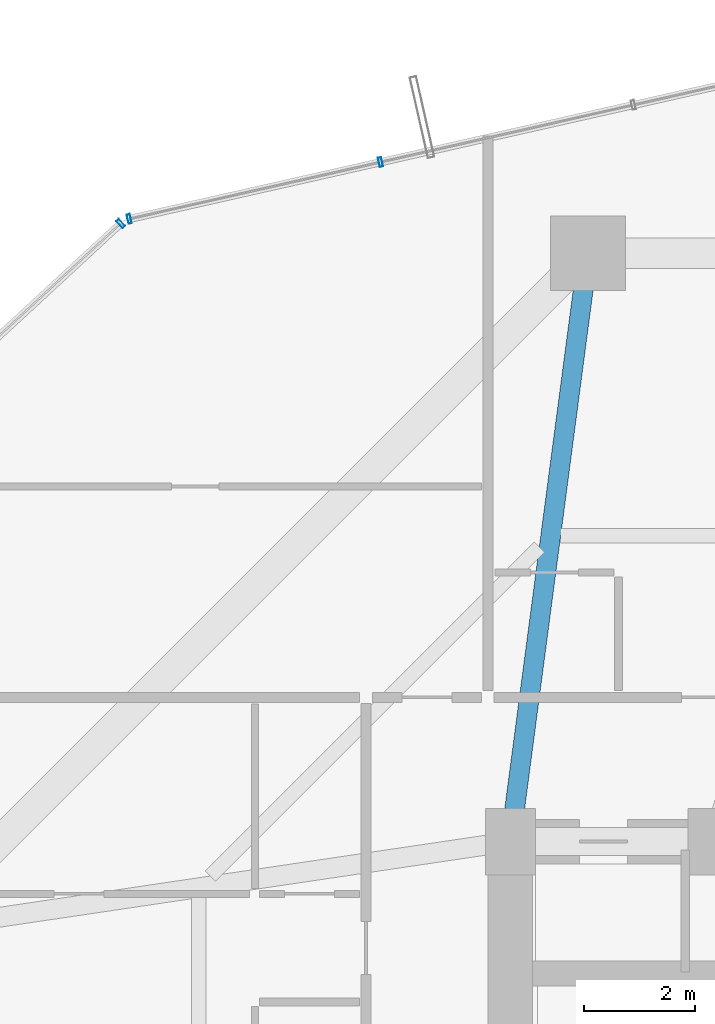
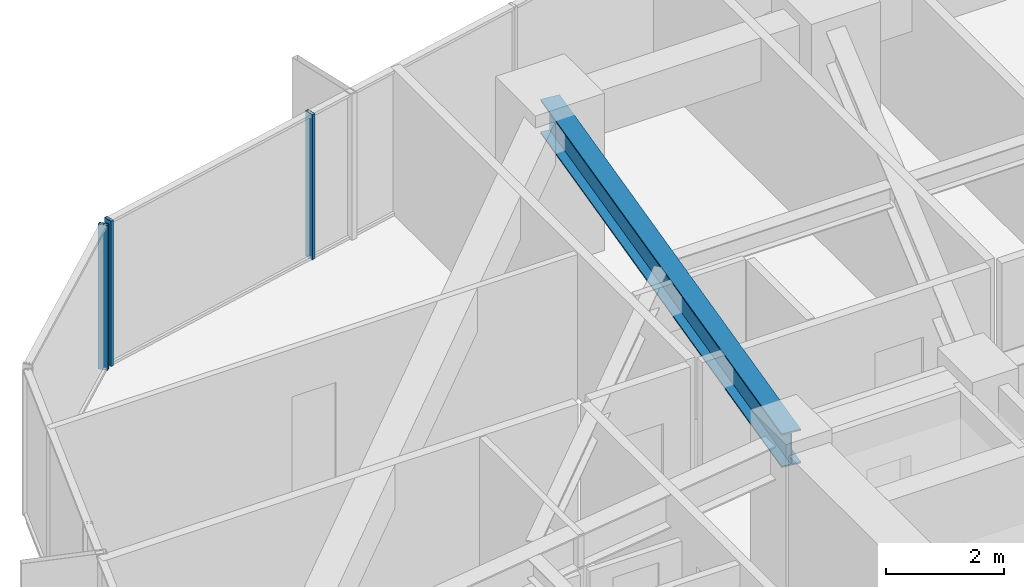
# One storey, part 24 of 39: 3 members, 1 beam, 2 elements without a shape of their own.
"""IFC4 building model written with IfcOpenShell, lengths in metres."""

from ifc_helpers import new_model, si_unit, direction, frame, origin, origin_2d, place, context, subcontext, project, spatial, hollow_rectangle, i_section, extrude, source, transform, mapped, material, layer, layer_set, material_profile, profile_set, type_object, element, aggregate, save


model = new_model("IFC4")

# Units and contexts
model_context = context("Model", 3, precision=1e-05, world=origin(), true_north=direction((0.0, 1.0)))
body_context = subcontext(model_context, "Body", "Model", "MODEL_VIEW")
ifc_project = project(units=[si_unit("LENGTHUNIT", "METRE"), si_unit("AREAUNIT", "SQUARE_METRE"), si_unit("VOLUMEUNIT", "CUBIC_METRE"), si_unit("PLANEANGLEUNIT", "RADIAN"), si_unit("MASSUNIT", "GRAM", prefix="KILO")], contexts=[model_context])

# Site, building, storey
site_placement = place(None, origin())
site = spatial("IfcSite", under=ifc_project, at=site_placement, CompositionType="ELEMENT")
building_placement = place(site_placement, origin())
building = spatial("IfcBuilding", under=site, at=building_placement, Name="Veraguas Prism Commons", CompositionType="ELEMENT")
storey_placement = place(building_placement, frame((0.0, 0.0, 67.35009765625)))
storey = spatial("IfcBuildingStorey", under=building, at=storey_placement, Name="L18", CompositionType="ELEMENT", Elevation=67.35009765625)

# Beam
ifc_material_1 = material(Name="Steel ASTM A992 Grade 50", Category="steel")
ifc_material_profile_1 = material_profile(ifc_material_1, i_section(OverallWidth=0.35595703125, OverallDepth=0.700927734375, WebThickness=0.016845703125, FlangeThickness=0.02734375, at=origin_2d()), Name="W690X240")
ifc_profile_set_1 = profile_set([ifc_material_profile_1], Name="Steel ASTM A992 Grade 50")
beam_type = type_object("IfcBeamType", Name="Zone 1 Radial Girder W690x240", PredefinedType="BEAM", material=ifc_profile_set_1)
beam_placement = place(storey_placement, frame((18.60009765625, 41.60009765625, 2.6494140625), z_axis=(-0.130950648891, -0.991388888154, 0.0), x_axis=(0.991388888154, -0.130950648891, 0.0)))
element("IfcBeam", 1, at=beam_placement, inside=storey, type_object=beam_type, Name="Radial Floor Girder L18-RD06", PredefinedType="BEAM", context=body_context, shape_type="SweptSolid", body=[
    extrude(i_section(OverallWidth=0.35595703125, OverallDepth=0.700927734375, WebThickness=0.016845703125, FlangeThickness=0.02734375, at=origin_2d()), origin(), (0.0, 0.0, 1.0), 10.692138671875),
])

# Curtain wall, members
ifc_material_2 = material(Name="Anodised aluminium EN AW-6063 T6", Category="aluminium")
ifc_layer = layer(ifc_material_2, 0.169921875, Name="Unitised Flush Curtain Wall Zone 1", Category="aluminium")
ifc_layer_set = layer_set([ifc_layer], Name="Anodised aluminium EN AW-6063 T6")
curtain_wall_type = type_object("IfcCurtainWallType", Name="Unitised Flush Curtain Wall Zone 1", PredefinedType="NOTDEFINED", material=ifc_layer_set)
curtain_wall_1_placement = place(storey_placement, origin())
curtain_wall_1 = element("IfcCurtainWall", 2, at=curtain_wall_1_placement, inside=storey, type_object=curtain_wall_type, Name="Tower Facade Curtain Wall L18-F2", PredefinedType="NOTDEFINED")
ifc_material_profile_2 = material_profile(ifc_material_2, hollow_rectangle(XDim=0.06005859375, YDim=0.169921875, WallThickness=0.00390625, at=origin_2d()), Name="AL60X170X4")
ifc_profile_set_2 = profile_set([ifc_material_profile_2], Name="Anodised aluminium EN AW-6063 T6")
member_type = type_object("IfcMemberType", Name="Curtain Wall Mullion Lower AL 60x170x4", PredefinedType="MULLION", material=ifc_profile_set_2)
shared_shape = source(origin(), body_context, "Body", "SweptSolid", [
    extrude(hollow_rectangle(XDim=0.06005859375, YDim=0.169921875, WallThickness=0.00390625, at=origin_2d()), origin(), (0.0, 0.0, 1.0), 3.0),
])
member_1_placement = place(storey_placement, frame((14.860595703125, 43.242919921875, 0.0), z_axis=(0.0, 0.0, 1.0), x_axis=(-0.975379669931, -0.220532309392, 0.0)))
member_1 = element("IfcMember", 3, at=member_1_placement, type_object=member_type, Name="CW-Z1 Mullion 4", PredefinedType="MULLION", context=body_context, shape_type="MappedRepresentation", body=[
    mapped(shared_shape, transform((0.0, 0.0, 0.0), scale=1.0)),
])
member_2_placement = place(storey_placement, frame((10.333740234375, 42.21923828125, 0.0), z_axis=(0.0, 0.0, 1.0), x_axis=(-0.975379669931, -0.220532309392, 0.0)))
member_2 = element("IfcMember", 4, at=member_2_placement, type_object=member_type, Name="CW-Z1 Mullion 5", PredefinedType="MULLION", context=body_context, shape_type="MappedRepresentation", body=[
    mapped(shared_shape, transform((0.0, 0.0, 0.0), scale=1.0)),
])
aggregate(curtain_wall_1, [member_1, member_2])

# Curtain wall, member
curtain_wall_2_placement = place(storey_placement, origin())
curtain_wall_2 = element("IfcCurtainWall", 5, at=curtain_wall_2_placement, inside=storey, type_object=curtain_wall_type, Name="Chamfer Curtain Wall L18-C3", PredefinedType="NOTDEFINED")
member_3_placement = place(storey_placement, frame((10.179931640625, 42.138427734375, 0.0), z_axis=(0.0, 0.0, 1.0), x_axis=(-0.734433864248, -0.67868026275, 0.0)))
member_3 = element("IfcMember", 6, at=member_3_placement, type_object=member_type, Name="CW-Z1 Mullion 1", PredefinedType="MULLION", context=body_context, shape_type="MappedRepresentation", body=[
    mapped(shared_shape, transform((0.0, 0.0, 0.0), scale=1.0)),
])
aggregate(curtain_wall_2, [member_3])

save(model, "model.ifc")
